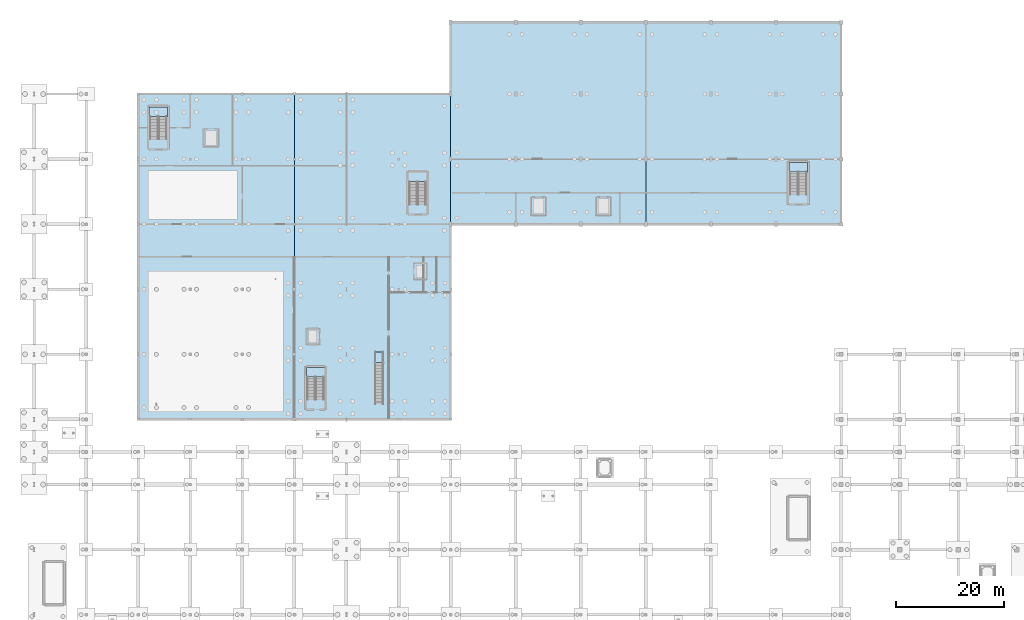
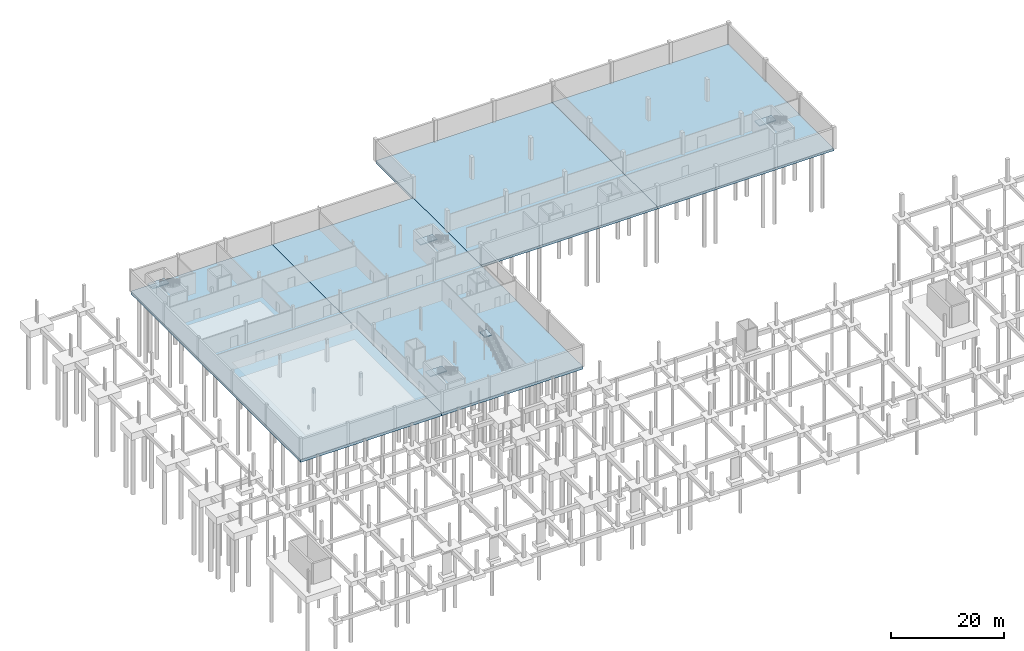
# One storey, part 20 of 31: 9 slabs, 5 elements without a shape of their own.
"""IFC4 building model written with IfcOpenShell, lengths in metres."""

from ifc_helpers import new_model, si_unit, direction, frame, origin, place, context, subcontext, project, spatial, polyline, outline, extrude, material, layer, layer_set, type_object, element, aggregate, save


model = new_model("IFC4")

# Units and contexts
model_context = context("Model", 3, precision=1e-05, world=origin(), true_north=direction((0.0, 1.0)))
body_context = subcontext(model_context, "Body", "Model", "MODEL_VIEW")
ifc_project = project(units=[si_unit("LENGTHUNIT", "METRE"), si_unit("AREAUNIT", "SQUARE_METRE"), si_unit("VOLUMEUNIT", "CUBIC_METRE"), si_unit("PLANEANGLEUNIT", "RADIAN"), si_unit("MASSUNIT", "GRAM", prefix="KILO")], contexts=[model_context])

# Site, building, storey
site_placement = place(None, origin())
site = spatial("IfcSite", under=ifc_project, at=site_placement, CompositionType="ELEMENT")
building_placement = place(site_placement, origin())
building = spatial("IfcBuilding", under=site, at=building_placement, Name="Merenkruunu Market Hall", CompositionType="ELEMENT")
storey_placement = place(building_placement, frame((0.0, 0.0, -4.800048828125)))
storey = spatial("IfcBuildingStorey", under=building, at=storey_placement, Name="B1", CompositionType="ELEMENT", Elevation=-4.800048828125)

# Slabs
ifc_material_1 = material(Name="Concrete C35/45", Category="concrete")
ifc_layer_1 = layer(ifc_material_1, 0.60009765625)
ifc_layer_set_1 = layer_set([ifc_layer_1], Name="Concrete C35/45")
slab_type_1 = type_object("IfcSlabType", Name="Basement Raft Slab BS01", PredefinedType="BASESLAB", material=ifc_layer_set_1)
slab_1_placement = place(storey_placement, frame((0.0, 0.0, -0.599853515625)))
element("IfcSlab", 1, at=slab_1_placement, inside=storey, type_object=slab_type_1, Name="SLAB-B1-BS01", PredefinedType="BASESLAB", context=body_context, shape_type="SweptSolid", body=[
    extrude(outline(polyline([(19.199951171875, 51.60009765625), (48.0, 51.60009765625), (48.0, 111.60009765625), (19.199951171875, 111.60009765625), (19.199951171875, 51.60009765625)])), origin(), (0.0, 0.0, 1.0), 0.599853515625),
])
slab_2_placement = place(storey_placement, frame((0.0, 0.0, -0.599853515625)))
element("IfcSlab", 2, at=slab_2_placement, inside=storey, type_object=slab_type_1, Name="SLAB-B1-BS02", PredefinedType="BASESLAB", context=body_context, shape_type="SweptSolid", body=[
    extrude(outline(polyline([(48.0, 51.60009765625), (76.800048828125, 51.60009765625), (76.800048828125, 111.60009765625), (48.0, 111.60009765625), (48.0, 51.60009765625)])), origin(), (0.0, 0.0, 1.0), 0.599853515625),
])
ifc_layer_2 = layer(ifc_material_1, 0.52001953125)
ifc_layer_set_2 = layer_set([ifc_layer_2], Name="Concrete C35/45")
slab_type_2 = type_object("IfcSlabType", Name="Basement Raft Slab BS02", PredefinedType="BASESLAB", material=ifc_layer_set_2)
slab_3_placement = place(storey_placement, frame((0.0, 0.0, -0.52001953125)))
element("IfcSlab", 3, at=slab_3_placement, inside=storey, type_object=slab_type_2, Name="SLAB-B1-BS03", PredefinedType="BASESLAB", context=body_context, shape_type="SweptSolid", body=[
    extrude(outline(polyline([(76.800048828125, 87.60009765625), (112.800048828125, 87.60009765625), (112.800048828125, 124.800048828125), (76.800048828125, 124.800048828125), (76.800048828125, 87.60009765625)])), origin(), (0.0, 0.0, 1.0), 0.52001953125),
])
slab_4_placement = place(storey_placement, frame((0.0, 0.0, -0.52001953125)))
element("IfcSlab", 4, at=slab_4_placement, inside=storey, type_object=slab_type_2, Name="SLAB-B1-BS04", PredefinedType="BASESLAB", context=body_context, shape_type="SweptSolid", body=[
    extrude(outline(polyline([(112.800048828125, 87.60009765625), (148.800048828125, 87.60009765625), (148.800048828125, 124.800048828125), (112.800048828125, 124.800048828125), (112.800048828125, 87.60009765625)])), origin(), (0.0, 0.0, 1.0), 0.52001953125),
])

# Stair, slab
stair_type_1 = type_object("IfcStairType", Name="Two Flight Half Turn Stair ST01", PredefinedType="TWO_STRAIGHT_RUN_STAIR", material=ifc_material_1)
stair_1_placement = place(storey_placement, origin())
stair_1 = element("IfcStair", 5, at=stair_1_placement, inside=storey, type_object=stair_type_1, Name="Protected Stair ST01 (K1 B1-L00)", PredefinedType="TWO_STRAIGHT_RUN_STAIR")
ifc_layer_3 = layer(ifc_material_1, 0.18994140625)
ifc_layer_set_3 = layer_set([ifc_layer_3], Name="Concrete C35/45")
slab_type_3 = type_object("IfcSlabType", Name="Stair Half Landing LS01", PredefinedType="LANDING", material=ifc_layer_set_3)
slab_5_placement = place(storey_placement, frame((0.0, 0.0, 2.2099609375)))
slab_5 = element("IfcSlab", 6, at=slab_5_placement, type_object=slab_type_3, Name="ST01 landing 1", PredefinedType="LANDING", context=body_context, shape_type="SweptSolid", body=[
    extrude(outline(polyline([(21.18505859375, 107.43994140625), (24.614990234375, 107.43994140625), (24.614990234375, 109.215087890625), (21.18505859375, 109.215087890625), (21.18505859375, 107.43994140625)])), origin(), (0.0, 0.0, 1.0), 0.190185546875),
])
aggregate(stair_1, [slab_5])

stair_2_placement = place(storey_placement, origin())
stair_2 = element("IfcStair", 7, at=stair_2_placement, inside=storey, type_object=stair_type_1, Name="Protected Stair ST04 (K3 B1-L00)", PredefinedType="TWO_STRAIGHT_RUN_STAIR")
slab_6_placement = place(storey_placement, frame((0.0, 0.0, 2.2099609375)))
slab_6 = element("IfcSlab", 8, at=slab_6_placement, type_object=slab_type_3, Name="ST04 landing 1", PredefinedType="LANDING", context=body_context, shape_type="SweptSolid", body=[
    extrude(outline(polyline([(50.18505859375, 59.43994140625), (53.614990234375, 59.43994140625), (53.614990234375, 61.215087890625), (50.18505859375, 61.215087890625), (50.18505859375, 59.43994140625)])), origin(), (0.0, 0.0, 1.0), 0.190185546875),
])
aggregate(stair_2, [slab_6])

stair_3_placement = place(storey_placement, origin())
stair_3 = element("IfcStair", 9, at=stair_3_placement, inside=storey, type_object=stair_type_1, Name="Protected Stair ST07 (K4 B1-L00)", PredefinedType="TWO_STRAIGHT_RUN_STAIR")
slab_7_placement = place(storey_placement, frame((0.0, 0.0, 2.2099609375)))
slab_7 = element("IfcSlab", 10, at=slab_7_placement, type_object=slab_type_3, Name="ST07 landing 1", PredefinedType="LANDING", context=body_context, shape_type="SweptSolid", body=[
    extrude(outline(polyline([(68.985107421875, 95.43994140625), (72.4150390625, 95.43994140625), (72.4150390625, 97.215087890625), (68.985107421875, 97.215087890625), (68.985107421875, 95.43994140625)])), origin(), (0.0, 0.0, 1.0), 0.190185546875),
])
aggregate(stair_3, [slab_7])

stair_4_placement = place(storey_placement, origin())
stair_4 = element("IfcStair", 11, at=stair_4_placement, inside=storey, type_object=stair_type_1, Name="Protected Stair ST17 (K7 B1-L00)", PredefinedType="TWO_STRAIGHT_RUN_STAIR")
slab_8_placement = place(storey_placement, frame((0.0, 0.0, 2.2099609375)))
slab_8 = element("IfcSlab", 12, at=slab_8_placement, type_object=slab_type_3, Name="ST17 landing 1", PredefinedType="LANDING", context=body_context, shape_type="SweptSolid", body=[
    extrude(outline(polyline([(139.18505859375, 97.239990234375), (142.614990234375, 97.239990234375), (142.614990234375, 99.014892578125), (139.18505859375, 99.014892578125), (139.18505859375, 97.239990234375)])), origin(), (0.0, 0.0, 1.0), 0.190185546875),
])
aggregate(stair_4, [slab_8])

ifc_material_2 = material(Name="Steel S355J2", Category="steel")
stair_type_2 = type_object("IfcStairType", Name="Single Run Feature Stair FST02", PredefinedType="STRAIGHT_RUN_STAIR", material=ifc_material_2)
stair_5_placement = place(storey_placement, origin())
stair_5 = element("IfcStair", 13, at=stair_5_placement, inside=storey, type_object=stair_type_2, Name="Public Feature Stair FST01 (B1-L00)", PredefinedType="STRAIGHT_RUN_STAIR")
ifc_layer_4 = layer(ifc_material_2, 0.14990234375)
ifc_layer_set_4 = layer_set([ifc_layer_4], Name="Steel S355J2")
slab_type_4 = type_object("IfcSlabType", Name="Stair Half Landing LS02", PredefinedType="LANDING", material=ifc_layer_set_4)
slab_9_placement = place(storey_placement, frame((0.0, 0.0, 4.650146484375)))
slab_9 = element("IfcSlab", 14, at=slab_9_placement, type_object=slab_type_4, Name="FST01 landing 1", PredefinedType="LANDING", context=body_context, shape_type="SweptSolid", body=[
    extrude(outline(polyline([(62.85009765625, 62.10009765625), (64.35009765625, 62.10009765625), (64.35009765625, 64.044921875), (62.85009765625, 64.044921875), (62.85009765625, 62.10009765625)])), origin(), (0.0, 0.0, 1.0), 0.14990234375),
])
aggregate(stair_5, [slab_9])

save(model, "model.ifc")
